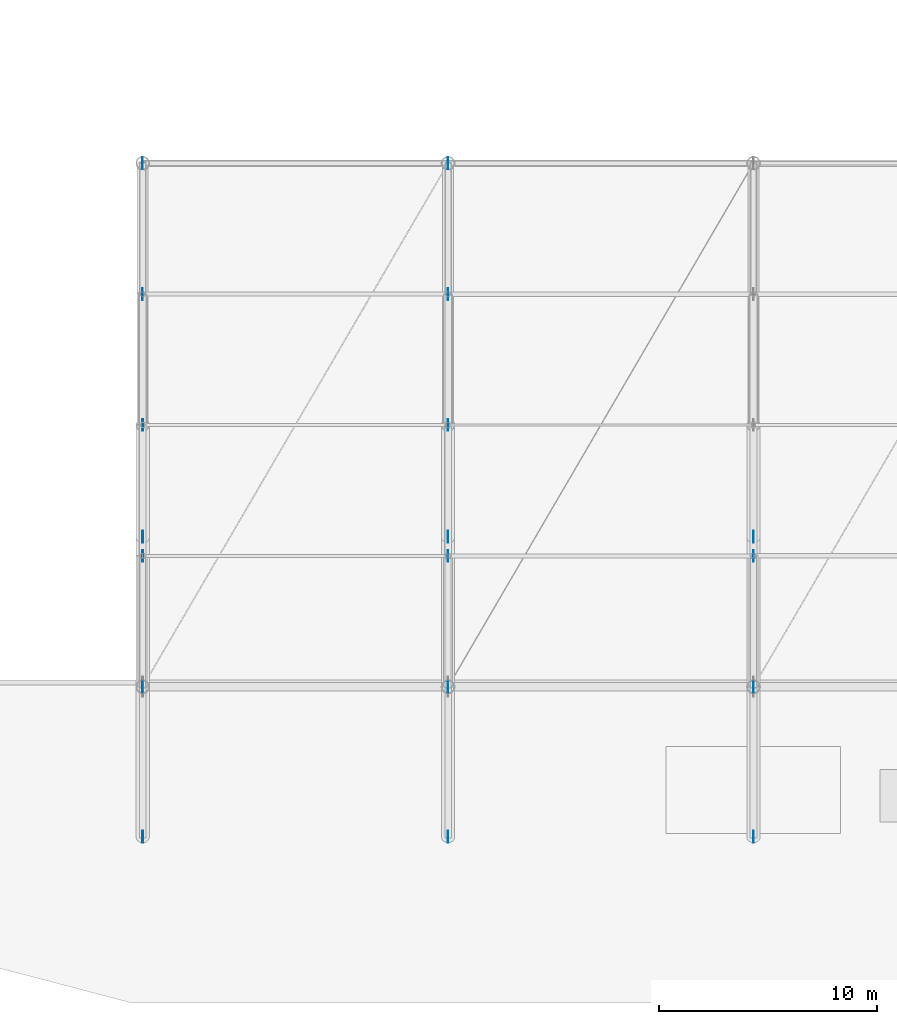
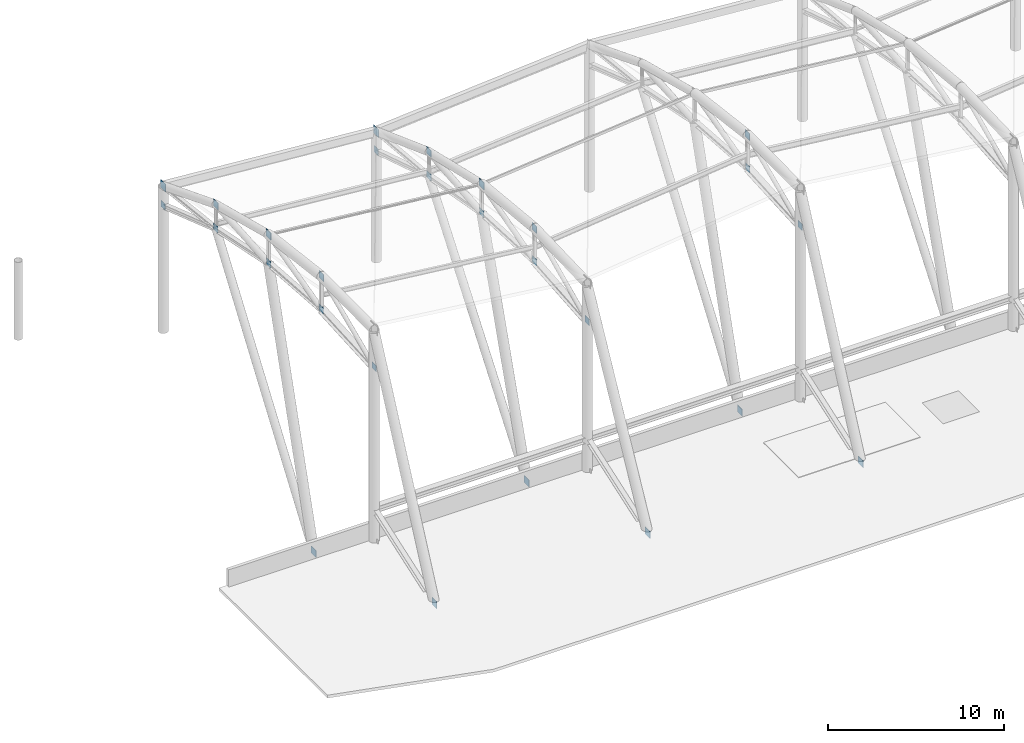
# One storey, part 67 of 90: 27 plates.
"""IFC4 building model written with IfcOpenShell, lengths in metres."""

import ifcopenshell
import ifcopenshell.guid

model = None  # the IFC model being written
_history = None  # IfcOwnerHistory: only IFC2X3 demands one
_inside = {}  # id of a spatial element -> (the spatial element, [elements in it])
_under = {}  # id of a project, library or spatial element -> (it, [spatial elements below it])
_declared = {}  # id of a project -> (the project, [libraries it declares])
_typed = {}  # id of a type object -> (the type object, [elements of that type])
_made_of = {}  # id of a material, layer set ... -> (it, [elements and type objects made of it])


def new_model(schema):
    """Start an empty IFC model of exactly this schema.

    Asked for "IFC4X3", IfcOpenShell would pick the latest addendum, in which some entities
    have other attributes; the version numbers below select the first issue.
    IFC2X3 requires an IfcOwnerHistory on every rooted entity: one is made here for all.
    """
    global model, _history
    if schema == "IFC4X3":
        model = ifcopenshell.file(schema_version=(4, 3, 0, 0))
    else:
        model = ifcopenshell.file(schema=schema)
    _inside.clear()
    _under.clear()
    _declared.clear()
    _typed.clear()
    _made_of.clear()
    _history = None
    if model.schema == "IFC2X3":
        org = make("IfcOrganization", Name="unknown")
        user = make(
            "IfcPersonAndOrganization",
            ThePerson=make("IfcPerson", FamilyName="unknown"),
            TheOrganization=org,
        )
        app = make(
            "IfcApplication",
            ApplicationDeveloper=org,
            Version="unknown",
            ApplicationFullName="unknown",
            ApplicationIdentifier="unknown",
        )
        _history = make(
            "IfcOwnerHistory",
            OwningUser=user,
            OwningApplication=app,
            ChangeAction="ADDED",
            CreationDate=0,
        )
    return model


def make(cls, **values):
    """One entity of the class cls with the attributes given. An attribute that is None is left unset."""
    return model.create_entity(
        cls, **{name: value for name, value in values.items() if value is not None}
    )


def rooted(cls, **values):
    """An entity with a GlobalId (a new one), such as an element, a storey or a relation."""
    return make(cls, GlobalId=ifcopenshell.guid.new(), OwnerHistory=_history, **values)


def si_unit(unit_type, name, prefix=None):
    """IfcSIUnit, for example si_unit("LENGTHUNIT", "METRE", prefix="MILLI")."""
    return make("IfcSIUnit", UnitType=unit_type, Prefix=prefix, Name=name)


def assignment(units):
    """IfcUnitAssignment: the units of a project."""
    return None if units is None else make("IfcUnitAssignment", Units=units)


def point(xyz):
    """IfcCartesianPoint."""
    return None if xyz is None else make("IfcCartesianPoint", Coordinates=xyz)


def direction(xyz):
    """IfcDirection."""
    return None if xyz is None else make("IfcDirection", DirectionRatios=xyz)


def frame(location, z_axis=None, x_axis=None):
    """IfcAxis2Placement3D, a coordinate frame: its origin and axes. An axis left out is left unset."""
    return make(
        "IfcAxis2Placement3D",
        Location=point(location),
        Axis=direction(z_axis),
        RefDirection=direction(x_axis),
    )


def frame_2d(location, x_axis=None):
    """IfcAxis2Placement2D, a coordinate frame in the plane: its origin and x axis."""
    return make(
        "IfcAxis2Placement2D", Location=point(location), RefDirection=direction(x_axis)
    )


def origin():
    """The frame at (0, 0, 0) with its axes left unset."""
    return frame((0.0, 0.0, 0.0))


def origin_2d():
    """The frame at (0, 0) in the plane with its x axis left unset."""
    return frame_2d((0.0, 0.0))


def place(relative_to, where):
    """IfcLocalPlacement: puts the frame where relative to a parent placement (None: the world)."""
    return make(
        "IfcLocalPlacement", PlacementRelTo=relative_to, RelativePlacement=where
    )


def context(
    kind, dimensions, precision=None, world=None, true_north=None, identifier=None
):
    """IfcGeometricRepresentationContext, for example the 3D "Model" context."""
    return make(
        "IfcGeometricRepresentationContext",
        ContextIdentifier=identifier,
        ContextType=kind,
        CoordinateSpaceDimension=dimensions,
        Precision=precision,
        WorldCoordinateSystem=world,
        TrueNorth=true_north,
    )


def subcontext(parent, identifier, kind, view, scale=None):
    """IfcGeometricRepresentationSubContext, for example "Body" below "Model"."""
    return make(
        "IfcGeometricRepresentationSubContext",
        ContextIdentifier=identifier,
        ContextType=kind,
        ParentContext=parent,
        TargetScale=scale,
        TargetView=view,
    )


def project(units=None, contexts=None):
    """IfcProject with its units and contexts."""
    return rooted(
        "IfcProject",
        Name="project",
        RepresentationContexts=contexts,
        UnitsInContext=assignment(units),
    )


def spatial(cls, under=None, at=None, **own):
    """A site, building, storey or space (cls), placed at a placement, below another one or the project."""
    s = rooted(cls, ObjectPlacement=at, **own)
    if under is not None:
        _under.setdefault(under.id(), (under, []))[1].append(s)
    return s


def profile(cls, at=None, kind="AREA", **sizes):
    """A parametric profile (cls). Its sizes go by their IFC names, for example OverallWidth=200.0."""
    return make(cls, ProfileType=kind, Position=at, **sizes)


def rectangle(**sizes):
    """IfcRectangleProfileDef."""
    return profile("IfcRectangleProfileDef", **sizes)


def extrude(swept, where, along, depth):
    """IfcExtrudedAreaSolid: the profile swept, set in the frame where, extruded along a direction by depth."""
    return make(
        "IfcExtrudedAreaSolid",
        SweptArea=swept,
        Position=where,
        ExtrudedDirection=direction(along),
        Depth=depth,
    )


def shape(context_of_items, identifier, shape_type, items):
    """IfcShapeRepresentation: the items that make up one representation, for example the "Body"."""
    return make(
        "IfcShapeRepresentation",
        ContextOfItems=context_of_items,
        RepresentationIdentifier=identifier,
        RepresentationType=shape_type,
        Items=items,
    )


def material(Name=None, Category=None):
    """IfcMaterial."""
    return make("IfcMaterial", Name=Name, Category=Category)


def layer(
    of_material, thickness, ventilated=None, Name=None, Category=None, Priority=None
):
    """IfcMaterialLayer: one layer of a wall or slab, of a material (None: an air gap)."""
    return make(
        "IfcMaterialLayer",
        Material=of_material,
        LayerThickness=thickness,
        IsVentilated=ventilated,
        Name=Name,
        Category=Category,
        Priority=Priority,
    )


def layer_set(layers, Name=None):
    """IfcMaterialLayerSet."""
    return make("IfcMaterialLayerSet", MaterialLayers=layers, LayerSetName=Name)


def made_of(thing, what):
    """Note that an element or type object is made of a material, layer set ...; save() writes the relation."""
    if what is not None:
        _made_of.setdefault(what.id(), (what, []))[1].append(thing)
    return thing


def type_object(cls, material=None, **own):
    """A type object (cls), such as IfcWallType, which elements share."""
    return made_of(rooted(cls, **own), material)


def element(
    cls,
    number,
    at=None,
    inside=None,
    cuts=None,
    type_object=None,
    material=None,
    context=None,
    identifier="Body",
    shape_type=None,
    held_by="IfcProductDefinitionShape",
    body=None,
    shapes=None,
    **own,
):
    """One element of the class cls, such as IfcWall. Its Tag is "e" and its number.

    at: its placement. inside: the storey or other place that contains it. cuts: it is an
    opening in that element (IfcRelVoidsElement). A single representation is given by context,
    identifier, shape_type and body (its items); several are given by shapes. held_by: the class
    of the entity that holds the representations. save() writes the other relations.
    """
    e = rooted(cls, Tag="e%d" % number, ObjectPlacement=at, **own)
    if body is not None:
        shapes = [shape(context, identifier, shape_type, body)]
    if shapes is not None:
        e.Representation = make(held_by, Representations=shapes)
    if inside is not None:
        _inside.setdefault(inside.id(), (inside, []))[1].append(e)
    if cuts is not None:
        rooted(
            "IfcRelVoidsElement", RelatingBuildingElement=cuts, RelatedOpeningElement=e
        )
    if type_object is not None:
        _typed.setdefault(type_object.id(), (type_object, []))[1].append(e)
    return made_of(e, material)


def aggregate(whole, parts):
    """IfcRelAggregates: a whole, such as a stair, and the parts it consists of."""
    return rooted("IfcRelAggregates", RelatingObject=whole, RelatedObjects=parts)


def save(model, path):
    """Write the relations noted so far, then the file.

    IfcRelAggregates (storeys below a building ...), IfcRelContainedInSpatialStructure (elements
    in a storey), IfcRelDefinesByType, IfcRelAssociatesMaterial and IfcRelDeclares: one each for
    every whole, place, type object, material and project.
    """
    for whole, parts in _under.values():
        aggregate(whole, parts)
    for where, things in _inside.values():
        rooted(
            "IfcRelContainedInSpatialStructure",
            RelatedElements=things,
            RelatingStructure=where,
        )
    for kind, things in _typed.values():
        rooted("IfcRelDefinesByType", RelatedObjects=things, RelatingType=kind)
    for what, things in _made_of.values():
        rooted("IfcRelAssociatesMaterial", RelatedObjects=things, RelatingMaterial=what)
    for by, libraries in _declared.values():
        rooted("IfcRelDeclares", RelatingContext=by, RelatedDefinitions=libraries)
    model.write(path)


model = new_model("IFC4")

# Units and contexts
model_context = context("Model", 3, precision=1e-05, world=origin(), true_north=direction((0.0, 1.0)))
body_context = subcontext(model_context, "Body", "Model", "MODEL_VIEW")
ifc_project = project(units=[si_unit("LENGTHUNIT", "METRE"), si_unit("AREAUNIT", "SQUARE_METRE"), si_unit("VOLUMEUNIT", "CUBIC_METRE"), si_unit("PLANEANGLEUNIT", "RADIAN"), si_unit("MASSUNIT", "GRAM", prefix="KILO")], contexts=[model_context])

# Site, building, storey
site_placement = place(None, origin())
site = spatial("IfcSite", under=ifc_project, at=site_placement, CompositionType="ELEMENT")
building_placement = place(site_placement, origin())
building = spatial("IfcBuilding", under=site, at=building_placement, Name="Linyun Crest Stadium", CompositionType="ELEMENT")
storey_placement = place(building_placement, frame((0.0, 0.0, 21.0)))
storey = spatial("IfcBuildingStorey", under=building, at=storey_placement, Name="L05", CompositionType="ELEMENT", Elevation=21.0)

# Plates
ifc_material_1 = material(Name="Steel Q355C", Category="steel")
ifc_layer_1 = layer(ifc_material_1, 0.02001953125)
ifc_layer_set_1 = layer_set([ifc_layer_1], Name="Steel Q355C")
plate_type_1 = type_object("IfcPlateType", Name="EP01", PredefinedType="USERDEFINED", material=ifc_layer_set_1)
for number, where, z_axis, x_axis, name in (
    (1, (-28.0, -49.5, 9.77197265625), (0.0, 0.0, 1.0), (0.0, 1.0, 0.0), "Canopy tip tube end plate EP01 279"),
    (2, (-14.0, -49.5, 8.66796875), (0.0, 0.0, 1.0), (0.0, 1.0, 0.0), "Canopy tip tube end plate EP01 292"),
):
    element("IfcPlate", number, at=place(storey_placement, frame(where, z_axis=z_axis, x_axis=x_axis)), inside=storey, type_object=plate_type_1, Name=name, ObjectType="END PLATE", PredefinedType="USERDEFINED", context=body_context, shape_type="SweptSolid", body=[
        extrude(rectangle(XDim=0.56005859375, YDim=0.02001953125, at=origin_2d()), origin(), (0.0, 0.0, 1.0), 0.56005859375),
    ])
ifc_material_2 = material(Name="Steel Q355C", Category="steel")
ifc_layer_2 = layer(ifc_material_2, 0.02392578125)
ifc_layer_set_2 = layer_set([ifc_layer_2], Name="Steel Q355C")
plate_type_2 = type_object("IfcPlateType", Name="NP01", PredefinedType="USERDEFINED", material=ifc_layer_set_2)
plate_1_placement = place(storey_placement, frame((-28.0, -55.5, 12.162109375), z_axis=(0.0, 0.0, 1.0), x_axis=(0.0, 1.0, 0.0)))
element("IfcPlate", 3, at=plate_1_placement, inside=storey, type_object=plate_type_2, Name="Roof truss node gusset plate NP01 278", ObjectType="GUSSET PLATE", PredefinedType="USERDEFINED", context=body_context, shape_type="SweptSolid", body=[
    extrude(rectangle(XDim=0.5400390625, YDim=0.02392578125, at=origin_2d()), origin(), (0.0, 0.0, 1.0), 0.47998046875),
])
for number, where, z_axis, x_axis, name in (
    (4, (-28.0, -73.5, 11.830078125), (0.0, 0.0, 1.0), (0.0, 1.0, 0.0), "Roof bottom-chord node gusset plate NP01 281"),
    (5, (-28.0, -67.5, 12.193115234375), (0.0, 0.0, 1.0), (0.0, 1.0, 0.0), "Roof bottom-chord node gusset plate NP01 282"),
    (6, (-28.0, -61.5, 11.755126953125), (0.0, 0.0, 1.0), (0.0, 1.0, 0.0), "Roof bottom-chord node gusset plate NP01 283"),
    (7, (-28.0, -55.5, 10.51806640625), (0.0, 0.0, 1.0), (0.0, 1.0, 0.0), "Roof bottom-chord node gusset plate NP01 284"),
    (8, (-28.0, -49.5, 8.47998046875), (0.0, 0.0, 1.0), (0.0, 1.0, 0.0), "Roof bottom-chord node gusset plate NP01 285"),
):
    element("IfcPlate", number, at=place(storey_placement, frame(where, z_axis=z_axis, x_axis=x_axis)), inside=storey, type_object=plate_type_2, Name=name, ObjectType="GUSSET PLATE", PredefinedType="USERDEFINED", context=body_context, shape_type="SweptSolid", body=[
        extrude(rectangle(XDim=0.47998046875, YDim=0.02392578125, at=origin_2d()), origin(), (0.0, 0.0, 1.0), 0.43994140625),
    ])
plate_2_placement = place(storey_placement, frame((-14.0, -55.5, 10.908935546875), z_axis=(0.0, 0.0, 1.0), x_axis=(0.0, 1.0, 0.0)))
element("IfcPlate", 9, at=plate_2_placement, inside=storey, type_object=plate_type_2, Name="Roof truss node gusset plate NP01 291", ObjectType="GUSSET PLATE", PredefinedType="USERDEFINED", context=body_context, shape_type="SweptSolid", body=[
    extrude(rectangle(XDim=0.5400390625, YDim=0.02392578125, at=origin_2d()), origin(), (0.0, 0.0, 1.0), 0.47998046875),
])
for number, where, z_axis, x_axis, name in (
    (10, (-14.0, -73.5, 10.130126953125), (0.0, 0.0, 1.0), (0.0, 1.0, 0.0), "Roof bottom-chord node gusset plate NP01 294"),
    (11, (-14.0, -67.5, 10.64208984375), (0.0, 0.0, 1.0), (0.0, 1.0, 0.0), "Roof bottom-chord node gusset plate NP01 295"),
    (12, (-14.0, -61.5, 10.35302734375), (0.0, 0.0, 1.0), (0.0, 1.0, 0.0), "Roof bottom-chord node gusset plate NP01 296"),
    (13, (-14.0, -55.5, 9.26513671875), (0.0, 0.0, 1.0), (0.0, 1.0, 0.0), "Roof bottom-chord node gusset plate NP01 297"),
    (14, (-14.0, -49.5, 7.3759765625), (0.0, 0.0, 1.0), (0.0, 1.0, 0.0), "Roof bottom-chord node gusset plate NP01 298"),
    (15, (0.0, -73.5, 11.830078125), (0.0, 0.0, 1.0), (0.0, 1.0, 0.0), "Roof bottom-chord node gusset plate NP01 307"),
    (16, (0.0, -67.5, 12.193115234375), (0.0, 0.0, 1.0), (0.0, 1.0, 0.0), "Roof bottom-chord node gusset plate NP01 308"),
):
    element("IfcPlate", number, at=place(storey_placement, frame(where, z_axis=z_axis, x_axis=x_axis)), inside=storey, type_object=plate_type_2, Name=name, ObjectType="GUSSET PLATE", PredefinedType="USERDEFINED", context=body_context, shape_type="SweptSolid", body=[
        extrude(rectangle(XDim=0.47998046875, YDim=0.02392578125, at=origin_2d()), origin(), (0.0, 0.0, 1.0), 0.43994140625),
    ])
ifc_material_3 = material(Name="Steel Q420C", Category="steel")
ifc_layer_3 = layer(ifc_material_3, 0.028076171875)
ifc_layer_set_3 = layer_set([ifc_layer_3], Name="Steel Q420C")
plate_type_3 = type_object("IfcPlateType", Name="NP02", PredefinedType="USERDEFINED", material=ifc_layer_set_3)
for number, where, z_axis, x_axis, name in (
    (17, (-28.0, -67.5, 14.4609375), (0.0, 0.0, 1.0), (0.0, 1.0, 0.0), "Roof truss node gusset plate NP02 276"),
    (18, (-28.0, -66.625, -5.219970703125), (0.0, 0.0, 1.0), (0.0, 1.0, 0.0), "Roof V-strut base gusset plate NP02 286"),
    (19, (-14.0, -67.5, 12.909912109375), (0.0, 0.0, 1.0), (0.0, 1.0, 0.0), "Roof truss node gusset plate NP02 289"),
    (20, (-14.0, -66.625, -5.219970703125), (0.0, 0.0, 1.0), (0.0, 1.0, 0.0), "Roof V-strut base gusset plate NP02 299"),
    (21, (0.0, -67.5, 14.4609375), (0.0, 0.0, 1.0), (0.0, 1.0, 0.0), "Roof truss node gusset plate NP02 302"),
    (22, (0.0, -66.625, -5.219970703125), (0.0, 0.0, 1.0), (0.0, 1.0, 0.0), "Roof V-strut base gusset plate NP02 312"),
):
    element("IfcPlate", number, at=place(storey_placement, frame(where, z_axis=z_axis, x_axis=x_axis)), inside=storey, type_object=plate_type_3, Name=name, ObjectType="GUSSET PLATE", PredefinedType="USERDEFINED", context=body_context, shape_type="SweptSolid", body=[
        extrude(rectangle(XDim=0.5400390625, YDim=0.028076171875, at=origin_2d()), origin(), (0.0, 0.0, 1.0), 0.47998046875),
    ])
ifc_material_4 = material(Name="Steel Q420C", Category="steel")
ifc_layer_4 = layer(ifc_material_4, 0.031982421875)
ifc_layer_set_4 = layer_set([ifc_layer_4], Name="Steel Q420C")
plate_type_4 = type_object("IfcPlateType", Name="NP03", PredefinedType="USERDEFINED", material=ifc_layer_set_4)
for number, where, z_axis, x_axis, name in (
    (23, (-28.0, -80.375, -0.445068359375), (0.0, 0.0, 1.0), (0.0, 1.0, 0.0), "Roof back-stay anchor gusset plate NP03 280"),
    (24, (-14.0, -80.375, -0.445068359375), (0.0, 0.0, 1.0), (0.0, 1.0, 0.0), "Roof back-stay anchor gusset plate NP03 293"),
    (25, (0.0, -80.375, -0.445068359375), (0.0, 0.0, 1.0), (0.0, 1.0, 0.0), "Roof back-stay anchor gusset plate NP03 306"),
):
    element("IfcPlate", number, at=place(storey_placement, frame(where, z_axis=z_axis, x_axis=x_axis)), inside=storey, type_object=plate_type_4, Name=name, ObjectType="GUSSET PLATE", PredefinedType="USERDEFINED", context=body_context, shape_type="SweptSolid", body=[
        extrude(rectangle(XDim=0.56005859375, YDim=0.031982421875, at=origin_2d()), origin(), (0.0, 0.0, 1.0), 0.47998046875),
    ])
ifc_material_5 = material(Name="Steel Q420C", Category="steel")
ifc_layer_5 = layer(ifc_material_5, 0.035888671875)
ifc_layer_set_5 = layer_set([ifc_layer_5], Name="Steel Q420C")
plate_type_5 = type_object("IfcPlateType", Name="NP04", PredefinedType="USERDEFINED", material=ifc_layer_set_5)
for number, where, z_axis, x_axis, name in (
    (26, (-28.0, -61.5, 13.7109375), (0.0, 0.0, 1.0), (0.0, 1.0, 0.0), "Roof truss node gusset plate NP04 277"),
    (27, (-14.0, -61.5, 12.30908203125), (0.0, 0.0, 1.0), (0.0, 1.0, 0.0), "Roof truss node gusset plate NP04 290"),
):
    element("IfcPlate", number, at=place(storey_placement, frame(where, z_axis=z_axis, x_axis=x_axis)), inside=storey, type_object=plate_type_5, Name=name, ObjectType="GUSSET PLATE", PredefinedType="USERDEFINED", context=body_context, shape_type="SweptSolid", body=[
        extrude(rectangle(XDim=0.5400390625, YDim=0.035888671875, at=origin_2d()), origin(), (0.0, 0.0, 1.0), 0.47998046875),
    ])

save(model, "model.ifc")
